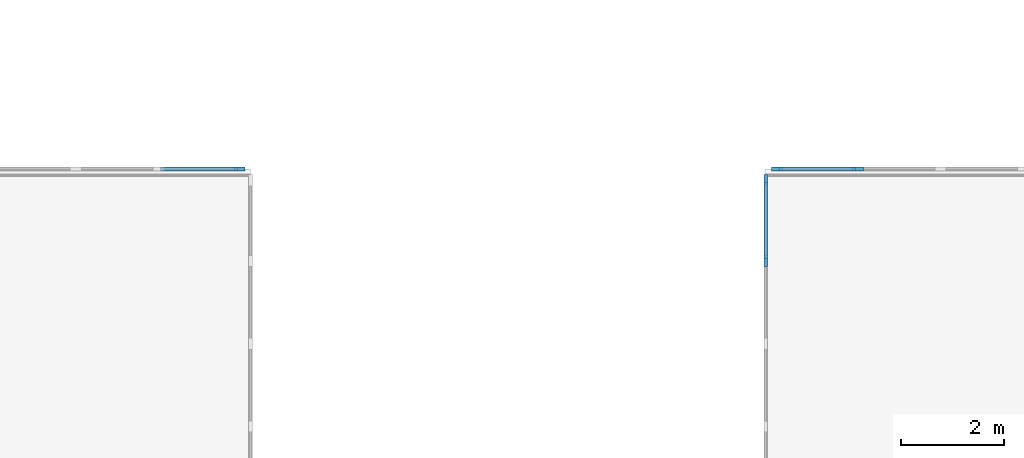
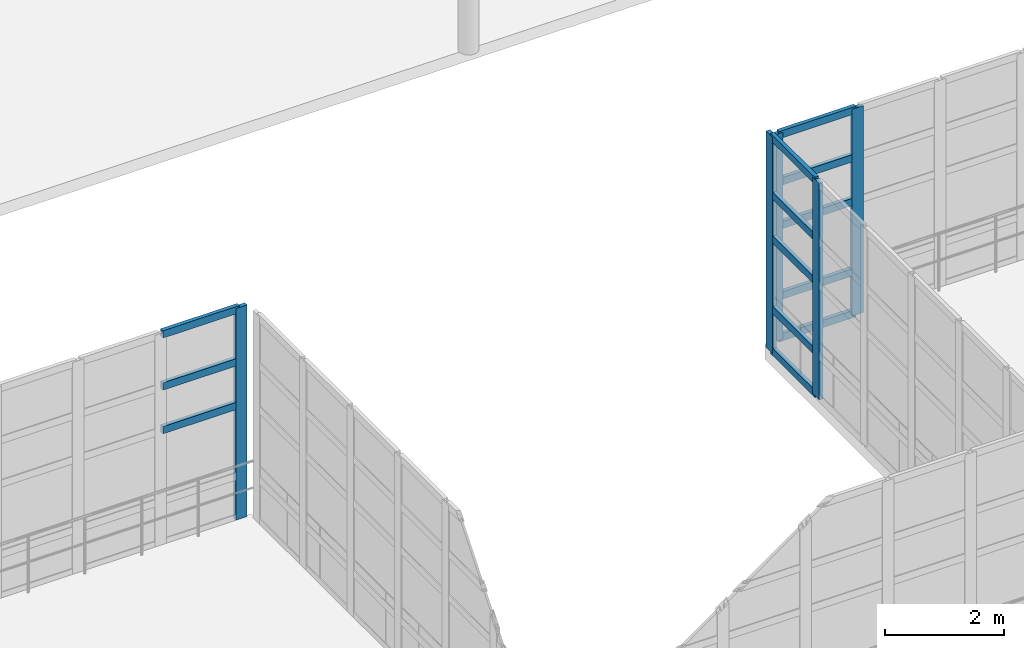
# One storey, part 56 of 139: 18 members, 3 elements without a shape of their own.
"""IFC4 building model written with IfcOpenShell, lengths in metres."""

from ifc_helpers import new_model, si_unit, direction, frame, origin, origin_2d, place, context, subcontext, project, spatial, rectangle, extrude, material, layer, layer_set, material_profile, profile_set, type_object, element, aggregate, save


model = new_model("IFC4")

# Units and contexts
model_context = context("Model", 3, precision=1e-05, world=origin(), true_north=direction((0.0, 1.0)))
body_context = subcontext(model_context, "Body", "Model", "MODEL_VIEW")
ifc_project = project(units=[si_unit("LENGTHUNIT", "METRE"), si_unit("AREAUNIT", "SQUARE_METRE"), si_unit("VOLUMEUNIT", "CUBIC_METRE"), si_unit("PLANEANGLEUNIT", "RADIAN"), si_unit("MASSUNIT", "GRAM", prefix="KILO"), si_unit("THERMODYNAMICTEMPERATUREUNIT", "KELVIN"), si_unit("POWERUNIT", "WATT")], contexts=[model_context])

# Site, building, storey
site_placement = place(None, origin())
site = spatial("IfcSite", under=ifc_project, at=site_placement, CompositionType="ELEMENT")
building_placement = place(site_placement, origin())
building = spatial("IfcBuilding", under=site, at=building_placement, Name="Korenveer Ferry Terminal", CompositionType="ELEMENT")
storey_placement = place(building_placement, frame((0.0, 0.0, 5.39990234375)))
storey = spatial("IfcBuildingStorey", under=building, at=storey_placement, Name="L01", CompositionType="ELEMENT", Elevation=5.39990234375)

# Curtain wall, member
ifc_material_1 = material(Name="Unitised bronze-and-glass curtain wall", Category="glass")
ifc_layer_1 = layer(ifc_material_1, 0.219970703125)
ifc_layer_set_1 = layer_set([ifc_layer_1], Name="Unitised bronze-and-glass curtain wall")
curtain_wall_type_1 = type_object("IfcCurtainWallType", Name="ENV-CW-54", PredefinedType="USERDEFINED", material=ifc_layer_set_1)
curtain_wall_1_placement = place(storey_placement, frame((73.179931640625, 90.0, 0.0)))
curtain_wall_1 = element("IfcCurtainWall", 1, at=curtain_wall_1_placement, inside=storey, type_object=curtain_wall_type_1, Name="Lancet curtain wall CWX-L01-X73-83-Y90-90", ObjectType="UNITISED CURTAIN WALL", PredefinedType="USERDEFINED")
ifc_material_2 = material(Name="Anodised bronze aluminium", Category="aluminium")
ifc_material_profile_1 = material_profile(ifc_material_2, rectangle(XDim=0.074951171875, YDim=0.219970703125, at=origin_2d()), Name="ALU 75x220")
ifc_profile_set_1 = profile_set([ifc_material_profile_1], Name="Anodised bronze aluminium")
member_type_1 = type_object("IfcMemberType", Name="ENV-CWM-75X220", PredefinedType="MULLION", material=ifc_profile_set_1)
member_1_placement = place(storey_placement, frame((82.782470703125, 90.0, 0.0), z_axis=(0.0, 0.0, 1.0), x_axis=(0.0, 1.0, 0.0)))
member_1 = element("IfcMember", 2, at=member_1_placement, type_object=member_type_1, Name="CW-54 mullion 7", PredefinedType="MULLION", context=body_context, shape_type="SweptSolid", body=[
    extrude(rectangle(XDim=0.074951171875, YDim=0.219970703125, at=origin_2d()), origin(), (0.0, 0.0, 1.0), 4.360107421875),
])

# Curtain wall, members
ifc_layer_2 = layer(ifc_material_1, 0.219970703125)
ifc_layer_set_2 = layer_set([ifc_layer_2], Name="Unitised bronze-and-glass curtain wall")
curtain_wall_type_2 = type_object("IfcCurtainWallType", Name="ENV-CW-55", PredefinedType="USERDEFINED", material=ifc_layer_set_2)
curtain_wall_2_placement = place(storey_placement, frame((93.179931640625, 90.0, 0.0)))
curtain_wall_2 = element("IfcCurtainWall", 3, at=curtain_wall_2_placement, inside=storey, type_object=curtain_wall_type_2, Name="Lancet curtain wall CWX-L01-X93-103-Y90-90", ObjectType="UNITISED CURTAIN WALL", PredefinedType="USERDEFINED")
member_2_placement = place(storey_placement, frame((93.217529296875, 90.0, 0.0), z_axis=(0.0, 0.0, 1.0), x_axis=(0.0, 1.0, 0.0)))
member_2 = element("IfcMember", 4, at=member_2_placement, type_object=member_type_1, Name="CW-55 mullion 1", PredefinedType="MULLION", context=body_context, shape_type="SweptSolid", body=[
    extrude(rectangle(XDim=0.074951171875, YDim=0.219970703125, at=origin_2d()), origin(), (0.0, 0.0, 1.0), 4.260009765625),
])
member_3_placement = place(storey_placement, frame((94.78662109375, 90.0, 0.0), z_axis=(0.0, 0.0, 1.0), x_axis=(0.0, 1.0, 0.0)))
member_3 = element("IfcMember", 5, at=member_3_placement, type_object=member_type_1, Name="CW-55 mullion 2", PredefinedType="MULLION", context=body_context, shape_type="SweptSolid", body=[
    extrude(rectangle(XDim=0.074951171875, YDim=0.219970703125, at=origin_2d()), origin(), (0.0, 0.0, 1.0), 4.260009765625),
])

ifc_layer_3 = layer(ifc_material_1, 0.219970703125)
ifc_layer_set_3 = layer_set([ifc_layer_3], Name="Unitised bronze-and-glass curtain wall")
curtain_wall_type_3 = type_object("IfcCurtainWallType", Name="ENV-CW-52", PredefinedType="USERDEFINED", material=ifc_layer_set_3)
curtain_wall_3_placement = place(storey_placement, frame((93.0, 80.179931640625, 0.0)))
curtain_wall_3 = element("IfcCurtainWall", 6, at=curtain_wall_3_placement, inside=storey, type_object=curtain_wall_type_3, Name="Lancet curtain wall CWX-L01-X93-93-Y80-90", ObjectType="UNITISED CURTAIN WALL", PredefinedType="USERDEFINED")
member_4_placement = place(storey_placement, frame((93.0, 88.21337890625, 0.0), z_axis=(0.0, 0.0, 1.0), x_axis=(-1.0, 0.0, 0.0)))
member_4 = element("IfcMember", 7, at=member_4_placement, type_object=member_type_1, Name="CW-52 mullion 6", PredefinedType="MULLION", context=body_context, shape_type="SweptSolid", body=[
    extrude(rectangle(XDim=0.074951171875, YDim=0.219970703125, at=origin_2d()), origin(), (0.0, 0.0, 1.0), 4.460205078125),
])
member_5_placement = place(storey_placement, frame((93.0, 89.782470703125, 0.0), z_axis=(0.0, 0.0, 1.0), x_axis=(-1.0, 0.0, 0.0)))
member_5 = element("IfcMember", 8, at=member_5_placement, type_object=member_type_1, Name="CW-52 mullion 7", PredefinedType="MULLION", context=body_context, shape_type="SweptSolid", body=[
    extrude(rectangle(XDim=0.074951171875, YDim=0.219970703125, at=origin_2d()), origin(), (0.0, 0.0, 1.0), 4.460205078125),
])

# Member
ifc_material_profile_2 = material_profile(ifc_material_2, rectangle(XDim=0.074951171875, YDim=0.14990234375, at=origin_2d()), Name="ALU 75x150")
ifc_profile_set_2 = profile_set([ifc_material_profile_2], Name="Anodised bronze aluminium")
member_type_2 = type_object("IfcMemberType", Name="ENV-CWT-75X150", PredefinedType="USERDEFINED", material=ifc_profile_set_2)
member_6_placement = place(storey_placement, frame((81.250732421875, 90.0, 2.35009765625), z_axis=(1.0, 0.0, 0.0), x_axis=(0.0, 1.0, 0.0)))
member_6 = element("IfcMember", 9, at=member_6_placement, type_object=member_type_2, Name="CW-54 transom 6.3", ObjectType="TRANSOM", PredefinedType="USERDEFINED", context=body_context, shape_type="SweptSolid", body=[
    extrude(rectangle(XDim=0.074951171875, YDim=0.14990234375, at=origin_2d()), origin(), (0.0, 0.0, 1.0), 1.494384765625),
])

member_7_placement = place(storey_placement, frame((81.250732421875, 90.0, 3.25), z_axis=(1.0, 0.0, 0.0), x_axis=(0.0, 1.0, 0.0)))
member_7 = element("IfcMember", 10, at=member_7_placement, type_object=member_type_2, Name="CW-54 transom 6.4", ObjectType="TRANSOM", PredefinedType="USERDEFINED", context=body_context, shape_type="SweptSolid", body=[
    extrude(rectangle(XDim=0.074951171875, YDim=0.14990234375, at=origin_2d()), origin(), (0.0, 0.0, 1.0), 1.494384765625),
])

member_8_placement = place(storey_placement, frame((81.250732421875, 90.0, 4.322509765625), z_axis=(1.0, 0.0, 0.0), x_axis=(0.0, 1.0, 0.0)))
member_8 = element("IfcMember", 11, at=member_8_placement, type_object=member_type_2, Name="CW-54 transom 6.5", ObjectType="TRANSOM", PredefinedType="USERDEFINED", context=body_context, shape_type="SweptSolid", body=[
    extrude(rectangle(XDim=0.074951171875, YDim=0.14990234375, at=origin_2d()), origin(), (0.0, 0.0, 1.0), 1.494384765625),
])

aggregate(curtain_wall_1, [member_1, member_6, member_7, member_8])

member_9_placement = place(storey_placement, frame((93.2548828125, 90.0, 0.03759765625), z_axis=(1.0, 0.0, 0.0), x_axis=(0.0, 1.0, 0.0)))
member_9 = element("IfcMember", 12, at=member_9_placement, type_object=member_type_2, Name="CW-55 transom 1.1", ObjectType="TRANSOM", PredefinedType="USERDEFINED", context=body_context, shape_type="SweptSolid", body=[
    extrude(rectangle(XDim=0.074951171875, YDim=0.14990234375, at=origin_2d()), origin(), (0.0, 0.0, 1.0), 1.494384765625),
])

member_10_placement = place(storey_placement, frame((93.2548828125, 90.0, 0.900146484375), z_axis=(1.0, 0.0, 0.0), x_axis=(0.0, 1.0, 0.0)))
member_10 = element("IfcMember", 13, at=member_10_placement, type_object=member_type_2, Name="CW-55 transom 1.2", ObjectType="TRANSOM", PredefinedType="USERDEFINED", context=body_context, shape_type="SweptSolid", body=[
    extrude(rectangle(XDim=0.074951171875, YDim=0.14990234375, at=origin_2d()), origin(), (0.0, 0.0, 1.0), 1.494384765625),
])

member_11_placement = place(storey_placement, frame((93.2548828125, 90.0, 2.35009765625), z_axis=(1.0, 0.0, 0.0), x_axis=(0.0, 1.0, 0.0)))
member_11 = element("IfcMember", 14, at=member_11_placement, type_object=member_type_2, Name="CW-55 transom 1.3", ObjectType="TRANSOM", PredefinedType="USERDEFINED", context=body_context, shape_type="SweptSolid", body=[
    extrude(rectangle(XDim=0.074951171875, YDim=0.14990234375, at=origin_2d()), origin(), (0.0, 0.0, 1.0), 1.494384765625),
])

member_12_placement = place(storey_placement, frame((93.2548828125, 90.0, 3.25), z_axis=(1.0, 0.0, 0.0), x_axis=(0.0, 1.0, 0.0)))
member_12 = element("IfcMember", 15, at=member_12_placement, type_object=member_type_2, Name="CW-55 transom 1.4", ObjectType="TRANSOM", PredefinedType="USERDEFINED", context=body_context, shape_type="SweptSolid", body=[
    extrude(rectangle(XDim=0.074951171875, YDim=0.14990234375, at=origin_2d()), origin(), (0.0, 0.0, 1.0), 1.494384765625),
])

member_13_placement = place(storey_placement, frame((93.2548828125, 90.0, 4.22265625), z_axis=(1.0, 0.0, 0.0), x_axis=(0.0, 1.0, 0.0)))
member_13 = element("IfcMember", 16, at=member_13_placement, type_object=member_type_2, Name="CW-55 transom 1.5", ObjectType="TRANSOM", PredefinedType="USERDEFINED", context=body_context, shape_type="SweptSolid", body=[
    extrude(rectangle(XDim=0.074951171875, YDim=0.14990234375, at=origin_2d()), origin(), (0.0, 0.0, 1.0), 1.494384765625),
])

aggregate(curtain_wall_2, [member_2, member_3, member_9, member_10, member_11, member_12, member_13])

member_14_placement = place(storey_placement, frame((93.0, 88.250732421875, 0.03759765625), z_axis=(0.0, 1.0, 0.0), x_axis=(-1.0, 0.0, 0.0)))
member_14 = element("IfcMember", 17, at=member_14_placement, type_object=member_type_2, Name="CW-52 transom 6.1", ObjectType="TRANSOM", PredefinedType="USERDEFINED", context=body_context, shape_type="SweptSolid", body=[
    extrude(rectangle(XDim=0.074951171875, YDim=0.14990234375, at=origin_2d()), origin(), (0.0, 0.0, 1.0), 1.494384765625),
])

member_15_placement = place(storey_placement, frame((93.0, 88.250732421875, 0.900146484375), z_axis=(0.0, 1.0, 0.0), x_axis=(-1.0, 0.0, 0.0)))
member_15 = element("IfcMember", 18, at=member_15_placement, type_object=member_type_2, Name="CW-52 transom 6.2", ObjectType="TRANSOM", PredefinedType="USERDEFINED", context=body_context, shape_type="SweptSolid", body=[
    extrude(rectangle(XDim=0.074951171875, YDim=0.14990234375, at=origin_2d()), origin(), (0.0, 0.0, 1.0), 1.494384765625),
])

member_16_placement = place(storey_placement, frame((93.0, 88.250732421875, 2.35009765625), z_axis=(0.0, 1.0, 0.0), x_axis=(-1.0, 0.0, 0.0)))
member_16 = element("IfcMember", 19, at=member_16_placement, type_object=member_type_2, Name="CW-52 transom 6.3", ObjectType="TRANSOM", PredefinedType="USERDEFINED", context=body_context, shape_type="SweptSolid", body=[
    extrude(rectangle(XDim=0.074951171875, YDim=0.14990234375, at=origin_2d()), origin(), (0.0, 0.0, 1.0), 1.494384765625),
])

member_17_placement = place(storey_placement, frame((93.0, 88.250732421875, 3.25), z_axis=(0.0, 1.0, 0.0), x_axis=(-1.0, 0.0, 0.0)))
member_17 = element("IfcMember", 20, at=member_17_placement, type_object=member_type_2, Name="CW-52 transom 6.4", ObjectType="TRANSOM", PredefinedType="USERDEFINED", context=body_context, shape_type="SweptSolid", body=[
    extrude(rectangle(XDim=0.074951171875, YDim=0.14990234375, at=origin_2d()), origin(), (0.0, 0.0, 1.0), 1.494384765625),
])

member_18_placement = place(storey_placement, frame((93.0, 88.250732421875, 4.422607421875), z_axis=(0.0, 1.0, 0.0), x_axis=(-1.0, 0.0, 0.0)))
member_18 = element("IfcMember", 21, at=member_18_placement, type_object=member_type_2, Name="CW-52 transom 6.5", ObjectType="TRANSOM", PredefinedType="USERDEFINED", context=body_context, shape_type="SweptSolid", body=[
    extrude(rectangle(XDim=0.074951171875, YDim=0.14990234375, at=origin_2d()), origin(), (0.0, 0.0, 1.0), 1.494384765625),
])

aggregate(curtain_wall_3, [member_4, member_5, member_14, member_15, member_16, member_17, member_18])

save(model, "model.ifc")
